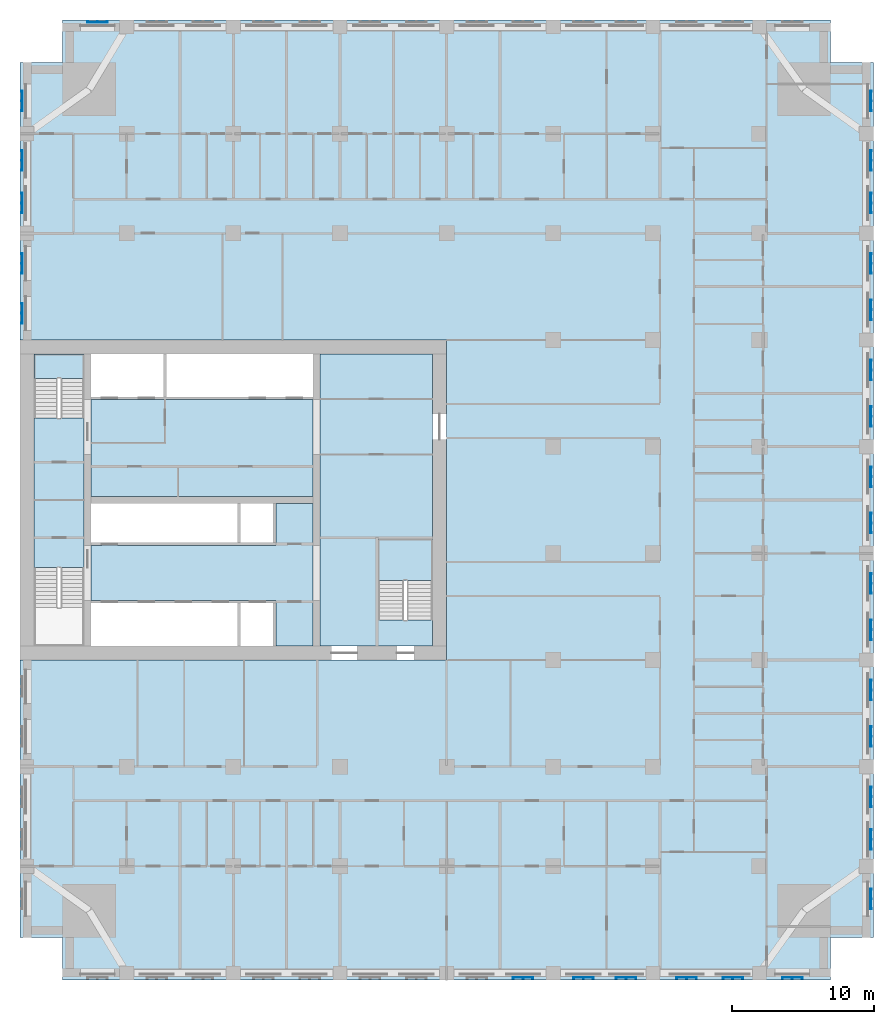
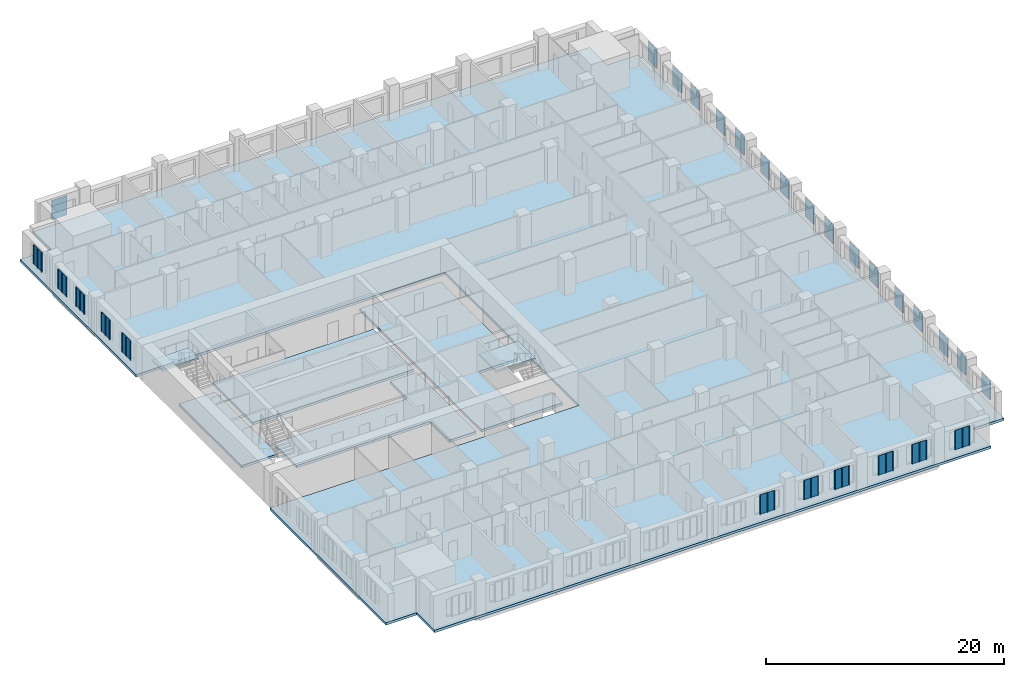
# One storey, part 2 of 15: 28 plates, 7 slabs, 2 elements without a shape of their own.
"""IFC4 building model written with IfcOpenShell, lengths in metres."""

import ifcopenshell
import ifcopenshell.guid

model = None  # the IFC model being written
_history = None  # IfcOwnerHistory: only IFC2X3 demands one
_inside = {}  # id of a spatial element -> (the spatial element, [elements in it])
_under = {}  # id of a project, library or spatial element -> (it, [spatial elements below it])
_declared = {}  # id of a project -> (the project, [libraries it declares])
_typed = {}  # id of a type object -> (the type object, [elements of that type])
_made_of = {}  # id of a material, layer set ... -> (it, [elements and type objects made of it])


def new_model(schema):
    """Start an empty IFC model of exactly this schema.

    Asked for "IFC4X3", IfcOpenShell would pick the latest addendum, in which some entities
    have other attributes; the version numbers below select the first issue.
    IFC2X3 requires an IfcOwnerHistory on every rooted entity: one is made here for all.
    """
    global model, _history
    if schema == "IFC4X3":
        model = ifcopenshell.file(schema_version=(4, 3, 0, 0))
    else:
        model = ifcopenshell.file(schema=schema)
    _inside.clear()
    _under.clear()
    _declared.clear()
    _typed.clear()
    _made_of.clear()
    _history = None
    if model.schema == "IFC2X3":
        org = make("IfcOrganization", Name="unknown")
        user = make(
            "IfcPersonAndOrganization",
            ThePerson=make("IfcPerson", FamilyName="unknown"),
            TheOrganization=org,
        )
        app = make(
            "IfcApplication",
            ApplicationDeveloper=org,
            Version="unknown",
            ApplicationFullName="unknown",
            ApplicationIdentifier="unknown",
        )
        _history = make(
            "IfcOwnerHistory",
            OwningUser=user,
            OwningApplication=app,
            ChangeAction="ADDED",
            CreationDate=0,
        )
    return model


def make(cls, **values):
    """One entity of the class cls with the attributes given. An attribute that is None is left unset."""
    return model.create_entity(
        cls, **{name: value for name, value in values.items() if value is not None}
    )


def rooted(cls, **values):
    """An entity with a GlobalId (a new one), such as an element, a storey or a relation."""
    return make(cls, GlobalId=ifcopenshell.guid.new(), OwnerHistory=_history, **values)


def si_unit(unit_type, name, prefix=None):
    """IfcSIUnit, for example si_unit("LENGTHUNIT", "METRE", prefix="MILLI")."""
    return make("IfcSIUnit", UnitType=unit_type, Prefix=prefix, Name=name)


def assignment(units):
    """IfcUnitAssignment: the units of a project."""
    return None if units is None else make("IfcUnitAssignment", Units=units)


def point(xyz):
    """IfcCartesianPoint."""
    return None if xyz is None else make("IfcCartesianPoint", Coordinates=xyz)


def direction(xyz):
    """IfcDirection."""
    return None if xyz is None else make("IfcDirection", DirectionRatios=xyz)


def frame(location, z_axis=None, x_axis=None):
    """IfcAxis2Placement3D, a coordinate frame: its origin and axes. An axis left out is left unset."""
    return make(
        "IfcAxis2Placement3D",
        Location=point(location),
        Axis=direction(z_axis),
        RefDirection=direction(x_axis),
    )


def origin():
    """The frame at (0, 0, 0) with its axes left unset."""
    return frame((0.0, 0.0, 0.0))


def place(relative_to, where):
    """IfcLocalPlacement: puts the frame where relative to a parent placement (None: the world)."""
    return make(
        "IfcLocalPlacement", PlacementRelTo=relative_to, RelativePlacement=where
    )


def context(
    kind, dimensions, precision=None, world=None, true_north=None, identifier=None
):
    """IfcGeometricRepresentationContext, for example the 3D "Model" context."""
    return make(
        "IfcGeometricRepresentationContext",
        ContextIdentifier=identifier,
        ContextType=kind,
        CoordinateSpaceDimension=dimensions,
        Precision=precision,
        WorldCoordinateSystem=world,
        TrueNorth=true_north,
    )


def subcontext(parent, identifier, kind, view, scale=None):
    """IfcGeometricRepresentationSubContext, for example "Body" below "Model"."""
    return make(
        "IfcGeometricRepresentationSubContext",
        ContextIdentifier=identifier,
        ContextType=kind,
        ParentContext=parent,
        TargetScale=scale,
        TargetView=view,
    )


def project(units=None, contexts=None):
    """IfcProject with its units and contexts."""
    return rooted(
        "IfcProject",
        Name="project",
        RepresentationContexts=contexts,
        UnitsInContext=assignment(units),
    )


def spatial(cls, under=None, at=None, **own):
    """A site, building, storey or space (cls), placed at a placement, below another one or the project."""
    s = rooted(cls, ObjectPlacement=at, **own)
    if under is not None:
        _under.setdefault(under.id(), (under, []))[1].append(s)
    return s


def polyline(points):
    """IfcPolyline through the points."""
    return make("IfcPolyline", Points=[point(p) for p in points])


def outline(outer, holes=None, kind="AREA"):
    """IfcArbitraryClosedProfileDef: a profile drawn as a closed curve; with holes, ...WithVoids."""
    if holes is None:
        return make("IfcArbitraryClosedProfileDef", ProfileType=kind, OuterCurve=outer)
    return make(
        "IfcArbitraryProfileDefWithVoids",
        ProfileType=kind,
        OuterCurve=outer,
        InnerCurves=holes,
    )


def extrude(swept, where, along, depth):
    """IfcExtrudedAreaSolid: the profile swept, set in the frame where, extruded along a direction by depth."""
    return make(
        "IfcExtrudedAreaSolid",
        SweptArea=swept,
        Position=where,
        ExtrudedDirection=direction(along),
        Depth=depth,
    )


def shape(context_of_items, identifier, shape_type, items):
    """IfcShapeRepresentation: the items that make up one representation, for example the "Body"."""
    return make(
        "IfcShapeRepresentation",
        ContextOfItems=context_of_items,
        RepresentationIdentifier=identifier,
        RepresentationType=shape_type,
        Items=items,
    )


def material(Name=None, Category=None):
    """IfcMaterial."""
    return make("IfcMaterial", Name=Name, Category=Category)


def layer(
    of_material, thickness, ventilated=None, Name=None, Category=None, Priority=None
):
    """IfcMaterialLayer: one layer of a wall or slab, of a material (None: an air gap)."""
    return make(
        "IfcMaterialLayer",
        Material=of_material,
        LayerThickness=thickness,
        IsVentilated=ventilated,
        Name=Name,
        Category=Category,
        Priority=Priority,
    )


def layer_set(layers, Name=None):
    """IfcMaterialLayerSet."""
    return make("IfcMaterialLayerSet", MaterialLayers=layers, LayerSetName=Name)


def made_of(thing, what):
    """Note that an element or type object is made of a material, layer set ...; save() writes the relation."""
    if what is not None:
        _made_of.setdefault(what.id(), (what, []))[1].append(thing)
    return thing


def type_object(cls, material=None, **own):
    """A type object (cls), such as IfcWallType, which elements share."""
    return made_of(rooted(cls, **own), material)


def element(
    cls,
    number,
    at=None,
    inside=None,
    cuts=None,
    type_object=None,
    material=None,
    context=None,
    identifier="Body",
    shape_type=None,
    held_by="IfcProductDefinitionShape",
    body=None,
    shapes=None,
    **own,
):
    """One element of the class cls, such as IfcWall. Its Tag is "e" and its number.

    at: its placement. inside: the storey or other place that contains it. cuts: it is an
    opening in that element (IfcRelVoidsElement). A single representation is given by context,
    identifier, shape_type and body (its items); several are given by shapes. held_by: the class
    of the entity that holds the representations. save() writes the other relations.
    """
    e = rooted(cls, Tag="e%d" % number, ObjectPlacement=at, **own)
    if body is not None:
        shapes = [shape(context, identifier, shape_type, body)]
    if shapes is not None:
        e.Representation = make(held_by, Representations=shapes)
    if inside is not None:
        _inside.setdefault(inside.id(), (inside, []))[1].append(e)
    if cuts is not None:
        rooted(
            "IfcRelVoidsElement", RelatingBuildingElement=cuts, RelatedOpeningElement=e
        )
    if type_object is not None:
        _typed.setdefault(type_object.id(), (type_object, []))[1].append(e)
    return made_of(e, material)


def aggregate(whole, parts):
    """IfcRelAggregates: a whole, such as a stair, and the parts it consists of."""
    return rooted("IfcRelAggregates", RelatingObject=whole, RelatedObjects=parts)


def save(model, path):
    """Write the relations noted so far, then the file.

    IfcRelAggregates (storeys below a building ...), IfcRelContainedInSpatialStructure (elements
    in a storey), IfcRelDefinesByType, IfcRelAssociatesMaterial and IfcRelDeclares: one each for
    every whole, place, type object, material and project.
    """
    for whole, parts in _under.values():
        aggregate(whole, parts)
    for where, things in _inside.values():
        rooted(
            "IfcRelContainedInSpatialStructure",
            RelatedElements=things,
            RelatingStructure=where,
        )
    for kind, things in _typed.values():
        rooted("IfcRelDefinesByType", RelatedObjects=things, RelatingType=kind)
    for what, things in _made_of.values():
        rooted("IfcRelAssociatesMaterial", RelatedObjects=things, RelatingMaterial=what)
    for by, libraries in _declared.values():
        rooted("IfcRelDeclares", RelatingContext=by, RelatedDefinitions=libraries)
    model.write(path)


model = new_model("IFC4")

# Units and contexts
model_context = context("Model", 3, precision=1e-05, world=origin(), true_north=direction((0.0, 1.0)))
body_context = subcontext(model_context, "Body", "Model", "MODEL_VIEW")
ifc_project = project(units=[si_unit("LENGTHUNIT", "METRE"), si_unit("AREAUNIT", "SQUARE_METRE"), si_unit("VOLUMEUNIT", "CUBIC_METRE"), si_unit("PLANEANGLEUNIT", "RADIAN"), si_unit("MASSUNIT", "GRAM", prefix="KILO")], contexts=[model_context])

# Site, building, storey
site_placement = place(None, origin())
site = spatial("IfcSite", under=ifc_project, at=site_placement, CompositionType="ELEMENT")
building_placement = place(site_placement, origin())
building = spatial("IfcBuilding", under=site, at=building_placement, Name="Tamorin Gate", CompositionType="ELEMENT")
storey_placement = place(building_placement, frame((0.0, 0.0, 97.10009765625)))
storey = spatial("IfcBuildingStorey", under=building, at=storey_placement, Name="L23", CompositionType="ELEMENT", Elevation=97.10009765625)

# Slabs
ifc_material_1 = material(Name="Concrete C40/50", Category="concrete")
ifc_layer_1 = layer(ifc_material_1, 0.25)
ifc_layer_set_1 = layer_set([ifc_layer_1], Name="Core floor slab 250 C40/50")
slab_type_1 = type_object("IfcSlabType", Name="Core floor slab 250 C40/50", PredefinedType="FLOOR", material=ifc_layer_set_1)
slab_1_placement = place(storey_placement, frame((0.0, 0.0, -0.25)))
element("IfcSlab", 1, at=slab_1_placement, inside=storey, type_object=slab_type_1, Name="Core floor L23", PredefinedType="FLOOR", context=body_context, shape_type="SweptSolid", body=[
    extrude(outline(polyline([(59.0, 62.800048828125), (59.0, 61.0), (51.10009765625, 61.0), (51.10009765625, 81.5), (59.0, 81.5), (59.0, 68.5), (55.199951171875, 68.5), (55.199951171875, 62.800048828125), (59.0, 62.800048828125)])), origin(), (0.0, 0.0, 1.0), 0.25),
])
slab_2_placement = place(storey_placement, frame((0.0, 0.0, -0.25)))
element("IfcSlab", 2, at=slab_2_placement, inside=storey, type_object=slab_type_1, Name="Core floor L23", PredefinedType="FLOOR", context=body_context, shape_type="SweptSolid", body=[
    extrude(outline(polyline([(50.60009765625, 61.0), (48.0, 61.0), (48.0, 64.199951171875), (35.0, 64.199951171875), (35.0, 68.050048828125), (48.0, 68.050048828125), (48.0, 71.0), (50.60009765625, 71.0), (50.60009765625, 61.0)])), origin(), (0.0, 0.0, 1.0), 0.25),
])
slab_3_placement = place(storey_placement, frame((0.0, 0.0, -0.25)))
element("IfcSlab", 3, at=slab_3_placement, inside=storey, type_object=slab_type_1, Name="Core floor L23", PredefinedType="FLOOR", context=body_context, shape_type="SweptSolid", body=[
    extrude(outline(polyline([(50.60009765625, 71.5), (35.0, 71.5), (35.0, 78.300048828125), (50.60009765625, 78.300048828125), (50.60009765625, 71.5)])), origin(), (0.0, 0.0, 1.0), 0.25),
])
slab_4_placement = place(storey_placement, frame((0.0, 0.0, -0.25)))
element("IfcSlab", 4, at=slab_4_placement, inside=storey, type_object=slab_type_1, Name="Core floor L23", PredefinedType="FLOOR", context=body_context, shape_type="SweptSolid", body=[
    extrude(outline(polyline([(31.0, 66.5), (31.0, 77.0), (34.5, 77.0), (34.5, 66.5), (31.0, 66.5)])), origin(), (0.0, 0.0, 1.0), 0.25),
])

# Stair, slab
stair_type = type_object("IfcStairType", Name="Exit stair", PredefinedType="HALF_TURN_STAIR", material=ifc_material_1)
stair_1_placement = place(storey_placement, origin())
stair_1 = element("IfcStair", 5, at=stair_1_placement, inside=storey, type_object=stair_type, Name="L23 stair ST2", PredefinedType="HALF_TURN_STAIR")
ifc_layer_2 = layer(ifc_material_1, 0.199951171875)
ifc_layer_set_2 = layer_set([ifc_layer_2], Name="Exit stair landing 200")
slab_type_2 = type_object("IfcSlabType", Name="Exit stair landing 200", PredefinedType="LANDING", material=ifc_layer_set_2)
slab_5_placement = place(storey_placement, frame((0.0, 0.0, 1.599853515625)))
slab_5 = element("IfcSlab", 6, at=slab_5_placement, type_object=slab_type_2, Name="ST2 landing 1", PredefinedType="LANDING", context=body_context, shape_type="SweptSolid", body=[
    extrude(outline(polyline([(34.5, 79.800048828125), (34.5, 81.5), (31.0, 81.5), (31.0, 79.800048828125), (34.5, 79.800048828125)])), origin(), (0.0, 0.0, 1.0), 0.199951171875),
])
aggregate(stair_1, [slab_5])

stair_2_placement = place(storey_placement, origin())
stair_2 = element("IfcStair", 7, at=stair_2_placement, inside=storey, type_object=stair_type, Name="L23 stair ST3", PredefinedType="HALF_TURN_STAIR")
slab_6_placement = place(storey_placement, frame((0.0, 0.0, 1.599853515625)))
slab_6 = element("IfcSlab", 8, at=slab_6_placement, type_object=slab_type_2, Name="ST3 landing 1", PredefinedType="LANDING", context=body_context, shape_type="SweptSolid", body=[
    extrude(outline(polyline([(59.0, 65.60009765625), (59.0, 68.5), (55.199951171875, 68.5), (55.199951171875, 65.60009765625), (59.0, 65.60009765625)])), origin(), (0.0, 0.0, 1.0), 0.199951171875),
])
aggregate(stair_2, [slab_6])

# Slab
ifc_layer_3 = layer(ifc_material_1, 0.25)
ifc_layer_set_3 = layer_set([ifc_layer_3], Name="Floor slab 250 C40/50")
slab_type_3 = type_object("IfcSlabType", Name="Floor slab 250 C40/50", PredefinedType="FLOOR", material=ifc_layer_set_3)
slab_7_placement = place(storey_placement, frame((0.0, 0.0, -0.25)))
element("IfcSlab", 9, at=slab_7_placement, inside=storey, type_object=slab_type_3, Name="Floor L23", PredefinedType="FLOOR", context=body_context, shape_type="SweptSolid", body=[
    extrude(outline(polyline([(30.0, 102.0), (33.0, 102.0), (33.0, 105.0), (87.0, 105.0), (87.0, 102.0), (90.0, 102.0), (90.0, 40.5), (87.0, 40.5), (87.0, 37.5), (33.0, 37.5), (33.0, 40.5), (30.0, 40.5), (30.0, 60.0), (60.0, 60.0), (60.0, 82.5), (30.0, 82.5), (30.0, 102.0)])), origin(), (0.0, 0.0, 1.0), 0.25),
])

# Plates
ifc_material_2 = material(Name="Perforated pale aluminium sheet", Category="aluminium")
ifc_layer_4 = layer(ifc_material_2, 0.0400390625)
ifc_layer_set_4 = layer_set([ifc_layer_4], Name="Pale metal solar screen 1440")
plate_type = type_object("IfcPlateType", Name="Pale metal solar screen 1440", PredefinedType="SHEET", material=ifc_layer_set_4)
plate_1_placement = place(storey_placement, frame((0.0, 0.0, 0.7099609375)))
element("IfcPlate", 10, at=plate_1_placement, inside=storey, type_object=plate_type, Name="Perforated solar screen", PredefinedType="SHEET", context=body_context, shape_type="SweptSolid", body=[
    extrude(outline(polyline([(64.655029296875, 37.659912109375), (64.655029296875, 37.699951171875), (64.715087890625, 37.699951171875), (65.344970703125, 37.699951171875), (65.405029296875, 37.699951171875), (66.034912109375, 37.699951171875), (66.094970703125, 37.699951171875), (66.094970703125, 37.659912109375), (66.094970703125, 37.60009765625), (66.034912109375, 37.60009765625), (66.034912109375, 37.659912109375), (65.405029296875, 37.659912109375), (65.405029296875, 37.60009765625), (65.344970703125, 37.60009765625), (65.344970703125, 37.659912109375), (64.715087890625, 37.659912109375), (64.715087890625, 37.60009765625), (64.655029296875, 37.60009765625), (64.655029296875, 37.659912109375)])), origin(), (0.0, 0.0, 1.0), 1.97998046875),
])
plate_2_placement = place(storey_placement, frame((0.0, 0.0, 0.7099609375)))
element("IfcPlate", 11, at=plate_2_placement, inside=storey, type_object=plate_type, Name="Perforated solar screen", PredefinedType="SHEET", context=body_context, shape_type="SweptSolid", body=[
    extrude(outline(polyline([(68.905029296875, 37.659912109375), (68.905029296875, 37.699951171875), (68.965087890625, 37.699951171875), (69.594970703125, 37.699951171875), (69.655029296875, 37.699951171875), (70.284912109375, 37.699951171875), (70.344970703125, 37.699951171875), (70.344970703125, 37.659912109375), (70.344970703125, 37.60009765625), (70.284912109375, 37.60009765625), (70.284912109375, 37.659912109375), (69.655029296875, 37.659912109375), (69.655029296875, 37.60009765625), (69.594970703125, 37.60009765625), (69.594970703125, 37.659912109375), (68.965087890625, 37.659912109375), (68.965087890625, 37.60009765625), (68.905029296875, 37.60009765625), (68.905029296875, 37.659912109375)])), origin(), (0.0, 0.0, 1.0), 1.97998046875),
])
plate_3_placement = place(storey_placement, frame((0.0, 0.0, 0.7099609375)))
element("IfcPlate", 12, at=plate_3_placement, inside=storey, type_object=plate_type, Name="Perforated solar screen", PredefinedType="SHEET", context=body_context, shape_type="SweptSolid", body=[
    extrude(outline(polyline([(71.905029296875, 37.659912109375), (71.905029296875, 37.699951171875), (71.965087890625, 37.699951171875), (72.594970703125, 37.699951171875), (72.655029296875, 37.699951171875), (73.284912109375, 37.699951171875), (73.344970703125, 37.699951171875), (73.344970703125, 37.659912109375), (73.344970703125, 37.60009765625), (73.284912109375, 37.60009765625), (73.284912109375, 37.659912109375), (72.655029296875, 37.659912109375), (72.655029296875, 37.60009765625), (72.594970703125, 37.60009765625), (72.594970703125, 37.659912109375), (71.965087890625, 37.659912109375), (71.965087890625, 37.60009765625), (71.905029296875, 37.60009765625), (71.905029296875, 37.659912109375)])), origin(), (0.0, 0.0, 1.0), 1.97998046875),
])
plate_4_placement = place(storey_placement, frame((0.0, 0.0, 0.7099609375)))
element("IfcPlate", 13, at=plate_4_placement, inside=storey, type_object=plate_type, Name="Perforated solar screen", PredefinedType="SHEET", context=body_context, shape_type="SweptSolid", body=[
    extrude(outline(polyline([(76.155029296875, 37.659912109375), (76.155029296875, 37.699951171875), (76.215087890625, 37.699951171875), (76.844970703125, 37.699951171875), (76.905029296875, 37.699951171875), (77.534912109375, 37.699951171875), (77.594970703125, 37.699951171875), (77.594970703125, 37.659912109375), (77.594970703125, 37.60009765625), (77.534912109375, 37.60009765625), (77.534912109375, 37.659912109375), (76.905029296875, 37.659912109375), (76.905029296875, 37.60009765625), (76.844970703125, 37.60009765625), (76.844970703125, 37.659912109375), (76.215087890625, 37.659912109375), (76.215087890625, 37.60009765625), (76.155029296875, 37.60009765625), (76.155029296875, 37.659912109375)])), origin(), (0.0, 0.0, 1.0), 1.97998046875),
])
plate_5_placement = place(storey_placement, frame((0.0, 0.0, 0.7099609375)))
element("IfcPlate", 14, at=plate_5_placement, inside=storey, type_object=plate_type, Name="Perforated solar screen", PredefinedType="SHEET", context=body_context, shape_type="SweptSolid", body=[
    extrude(outline(polyline([(79.405029296875, 37.659912109375), (79.405029296875, 37.699951171875), (79.465087890625, 37.699951171875), (80.094970703125, 37.699951171875), (80.155029296875, 37.699951171875), (80.784912109375, 37.699951171875), (80.844970703125, 37.699951171875), (80.844970703125, 37.659912109375), (80.844970703125, 37.60009765625), (80.784912109375, 37.60009765625), (80.784912109375, 37.659912109375), (80.155029296875, 37.659912109375), (80.155029296875, 37.60009765625), (80.094970703125, 37.60009765625), (80.094970703125, 37.659912109375), (79.465087890625, 37.659912109375), (79.465087890625, 37.60009765625), (79.405029296875, 37.60009765625), (79.405029296875, 37.659912109375)])), origin(), (0.0, 0.0, 1.0), 1.97998046875),
])
plate_6_placement = place(storey_placement, frame((0.0, 0.0, 0.7099609375)))
element("IfcPlate", 15, at=plate_6_placement, inside=storey, type_object=plate_type, Name="Perforated solar screen", PredefinedType="SHEET", context=body_context, shape_type="SweptSolid", body=[
    extrude(outline(polyline([(83.580078125, 37.659912109375), (83.580078125, 37.699951171875), (83.639892578125, 37.699951171875), (84.27001953125, 37.699951171875), (84.330078125, 37.699951171875), (84.9599609375, 37.699951171875), (85.02001953125, 37.699951171875), (85.02001953125, 37.659912109375), (85.02001953125, 37.60009765625), (84.9599609375, 37.60009765625), (84.9599609375, 37.659912109375), (84.330078125, 37.659912109375), (84.330078125, 37.60009765625), (84.27001953125, 37.60009765625), (84.27001953125, 37.659912109375), (83.639892578125, 37.659912109375), (83.639892578125, 37.60009765625), (83.580078125, 37.60009765625), (83.580078125, 37.659912109375)])), origin(), (0.0, 0.0, 1.0), 1.97998046875),
])
plate_7_placement = place(storey_placement, frame((0.0, 0.0, 0.7099609375)))
element("IfcPlate", 16, at=plate_7_placement, inside=storey, type_object=plate_type, Name="Perforated solar screen", PredefinedType="SHEET", context=body_context, shape_type="SweptSolid", body=[
    extrude(outline(polyline([(89.840087890625, 42.47998046875), (89.800048828125, 42.47998046875), (89.800048828125, 42.5400390625), (89.800048828125, 43.169921875), (89.800048828125, 43.22998046875), (89.800048828125, 43.860107421875), (89.800048828125, 43.919921875), (89.840087890625, 43.919921875), (89.89990234375, 43.919921875), (89.89990234375, 43.860107421875), (89.840087890625, 43.860107421875), (89.840087890625, 43.22998046875), (89.89990234375, 43.22998046875), (89.89990234375, 43.169921875), (89.840087890625, 43.169921875), (89.840087890625, 42.5400390625), (89.89990234375, 42.5400390625), (89.89990234375, 42.47998046875), (89.840087890625, 42.47998046875)])), origin(), (0.0, 0.0, 1.0), 1.97998046875),
])
plate_8_placement = place(storey_placement, frame((0.0, 0.0, 0.7099609375)))
element("IfcPlate", 17, at=plate_8_placement, inside=storey, type_object=plate_type, Name="Perforated solar screen", PredefinedType="SHEET", context=body_context, shape_type="SweptSolid", body=[
    extrude(outline(polyline([(89.840087890625, 46.655029296875), (89.800048828125, 46.655029296875), (89.800048828125, 46.715087890625), (89.800048828125, 47.344970703125), (89.800048828125, 47.405029296875), (89.800048828125, 48.034912109375), (89.800048828125, 48.094970703125), (89.800048828125, 48.094970703125), (89.840087890625, 48.094970703125), (89.840087890625, 48.094970703125), (89.89990234375, 48.094970703125), (89.89990234375, 48.034912109375), (89.840087890625, 48.034912109375), (89.840087890625, 47.405029296875), (89.89990234375, 47.405029296875), (89.89990234375, 47.344970703125), (89.840087890625, 47.344970703125), (89.840087890625, 46.715087890625), (89.89990234375, 46.715087890625), (89.89990234375, 46.655029296875), (89.840087890625, 46.655029296875)])), origin(), (0.0, 0.0, 1.0), 1.97998046875),
])
plate_9_placement = place(storey_placement, frame((0.0, 0.0, 0.7099609375)))
element("IfcPlate", 18, at=plate_9_placement, inside=storey, type_object=plate_type, Name="Perforated solar screen", PredefinedType="SHEET", context=body_context, shape_type="SweptSolid", body=[
    extrude(outline(polyline([(89.840087890625, 49.655029296875), (89.800048828125, 49.655029296875), (89.800048828125, 49.715087890625), (89.800048828125, 50.344970703125), (89.800048828125, 50.405029296875), (89.800048828125, 51.034912109375), (89.800048828125, 51.094970703125), (89.840087890625, 51.094970703125), (89.89990234375, 51.094970703125), (89.89990234375, 51.034912109375), (89.840087890625, 51.034912109375), (89.840087890625, 50.405029296875), (89.89990234375, 50.405029296875), (89.89990234375, 50.344970703125), (89.840087890625, 50.344970703125), (89.840087890625, 49.715087890625), (89.89990234375, 49.715087890625), (89.89990234375, 49.655029296875), (89.840087890625, 49.655029296875)])), origin(), (0.0, 0.0, 1.0), 1.97998046875),
])
plate_10_placement = place(storey_placement, frame((0.0, 0.0, 0.7099609375)))
element("IfcPlate", 19, at=plate_10_placement, inside=storey, type_object=plate_type, Name="Perforated solar screen", PredefinedType="SHEET", context=body_context, shape_type="SweptSolid", body=[
    extrude(outline(polyline([(89.840087890625, 53.905029296875), (89.800048828125, 53.905029296875), (89.800048828125, 53.965087890625), (89.800048828125, 54.594970703125), (89.800048828125, 54.655029296875), (89.800048828125, 55.284912109375), (89.800048828125, 55.344970703125), (89.840087890625, 55.344970703125), (89.89990234375, 55.344970703125), (89.89990234375, 55.284912109375), (89.840087890625, 55.284912109375), (89.840087890625, 54.655029296875), (89.89990234375, 54.655029296875), (89.89990234375, 54.594970703125), (89.840087890625, 54.594970703125), (89.840087890625, 53.965087890625), (89.89990234375, 53.965087890625), (89.89990234375, 53.905029296875), (89.840087890625, 53.905029296875)])), origin(), (0.0, 0.0, 1.0), 1.97998046875),
])
plate_11_placement = place(storey_placement, frame((0.0, 0.0, 0.7099609375)))
element("IfcPlate", 20, at=plate_11_placement, inside=storey, type_object=plate_type, Name="Perforated solar screen", PredefinedType="SHEET", context=body_context, shape_type="SweptSolid", body=[
    extrude(outline(polyline([(89.840087890625, 57.155029296875), (89.800048828125, 57.155029296875), (89.800048828125, 57.215087890625), (89.800048828125, 57.844970703125), (89.800048828125, 57.905029296875), (89.800048828125, 58.534912109375), (89.800048828125, 58.594970703125), (89.840087890625, 58.594970703125), (89.89990234375, 58.594970703125), (89.89990234375, 58.534912109375), (89.840087890625, 58.534912109375), (89.840087890625, 57.905029296875), (89.89990234375, 57.905029296875), (89.89990234375, 57.844970703125), (89.840087890625, 57.844970703125), (89.840087890625, 57.215087890625), (89.89990234375, 57.215087890625), (89.89990234375, 57.155029296875), (89.840087890625, 57.155029296875)])), origin(), (0.0, 0.0, 1.0), 1.97998046875),
])
plate_12_placement = place(storey_placement, frame((0.0, 0.0, 0.7099609375)))
element("IfcPlate", 21, at=plate_12_placement, inside=storey, type_object=plate_type, Name="Perforated solar screen", PredefinedType="SHEET", context=body_context, shape_type="SweptSolid", body=[
    extrude(outline(polyline([(89.840087890625, 61.405029296875), (89.800048828125, 61.405029296875), (89.800048828125, 61.465087890625), (89.800048828125, 62.094970703125), (89.800048828125, 62.155029296875), (89.800048828125, 62.784912109375), (89.800048828125, 62.844970703125), (89.840087890625, 62.844970703125), (89.89990234375, 62.844970703125), (89.89990234375, 62.784912109375), (89.840087890625, 62.784912109375), (89.840087890625, 62.155029296875), (89.89990234375, 62.155029296875), (89.89990234375, 62.094970703125), (89.840087890625, 62.094970703125), (89.840087890625, 61.465087890625), (89.89990234375, 61.465087890625), (89.89990234375, 61.405029296875), (89.840087890625, 61.405029296875)])), origin(), (0.0, 0.0, 1.0), 1.97998046875),
])
plate_13_placement = place(storey_placement, frame((0.0, 0.0, 0.7099609375)))
element("IfcPlate", 22, at=plate_13_placement, inside=storey, type_object=plate_type, Name="Perforated solar screen", PredefinedType="SHEET", context=body_context, shape_type="SweptSolid", body=[
    extrude(outline(polyline([(89.840087890625, 64.655029296875), (89.800048828125, 64.655029296875), (89.800048828125, 64.715087890625), (89.800048828125, 65.344970703125), (89.800048828125, 65.405029296875), (89.800048828125, 66.034912109375), (89.800048828125, 66.094970703125), (89.840087890625, 66.094970703125), (89.89990234375, 66.094970703125), (89.89990234375, 66.034912109375), (89.840087890625, 66.034912109375), (89.840087890625, 65.405029296875), (89.89990234375, 65.405029296875), (89.89990234375, 65.344970703125), (89.840087890625, 65.344970703125), (89.840087890625, 64.715087890625), (89.89990234375, 64.715087890625), (89.89990234375, 64.655029296875), (89.840087890625, 64.655029296875)])), origin(), (0.0, 0.0, 1.0), 1.97998046875),
])
plate_14_placement = place(storey_placement, frame((0.0, 0.0, 0.7099609375)))
element("IfcPlate", 23, at=plate_14_placement, inside=storey, type_object=plate_type, Name="Perforated solar screen", PredefinedType="SHEET", context=body_context, shape_type="SweptSolid", body=[
    extrude(outline(polyline([(89.840087890625, 68.905029296875), (89.800048828125, 68.905029296875), (89.800048828125, 68.965087890625), (89.800048828125, 69.594970703125), (89.800048828125, 69.655029296875), (89.800048828125, 70.284912109375), (89.800048828125, 70.344970703125), (89.840087890625, 70.344970703125), (89.89990234375, 70.344970703125), (89.89990234375, 70.284912109375), (89.840087890625, 70.284912109375), (89.840087890625, 69.655029296875), (89.89990234375, 69.655029296875), (89.89990234375, 69.594970703125), (89.840087890625, 69.594970703125), (89.840087890625, 68.965087890625), (89.89990234375, 68.965087890625), (89.89990234375, 68.905029296875), (89.840087890625, 68.905029296875)])), origin(), (0.0, 0.0, 1.0), 1.97998046875),
])
plate_15_placement = place(storey_placement, frame((0.0, 0.0, 0.7099609375)))
element("IfcPlate", 24, at=plate_15_placement, inside=storey, type_object=plate_type, Name="Perforated solar screen", PredefinedType="SHEET", context=body_context, shape_type="SweptSolid", body=[
    extrude(outline(polyline([(89.840087890625, 72.155029296875), (89.800048828125, 72.155029296875), (89.800048828125, 72.215087890625), (89.800048828125, 72.844970703125), (89.800048828125, 72.905029296875), (89.800048828125, 73.534912109375), (89.800048828125, 73.594970703125), (89.840087890625, 73.594970703125), (89.89990234375, 73.594970703125), (89.89990234375, 73.534912109375), (89.840087890625, 73.534912109375), (89.840087890625, 72.905029296875), (89.89990234375, 72.905029296875), (89.89990234375, 72.844970703125), (89.840087890625, 72.844970703125), (89.840087890625, 72.215087890625), (89.89990234375, 72.215087890625), (89.89990234375, 72.155029296875), (89.840087890625, 72.155029296875)])), origin(), (0.0, 0.0, 1.0), 1.97998046875),
])
plate_16_placement = place(storey_placement, frame((0.0, 0.0, 0.7099609375)))
element("IfcPlate", 25, at=plate_16_placement, inside=storey, type_object=plate_type, Name="Perforated solar screen", PredefinedType="SHEET", context=body_context, shape_type="SweptSolid", body=[
    extrude(outline(polyline([(89.840087890625, 76.405029296875), (89.800048828125, 76.405029296875), (89.800048828125, 76.465087890625), (89.800048828125, 77.094970703125), (89.800048828125, 77.155029296875), (89.800048828125, 77.784912109375), (89.800048828125, 77.844970703125), (89.840087890625, 77.844970703125), (89.89990234375, 77.844970703125), (89.89990234375, 77.784912109375), (89.840087890625, 77.784912109375), (89.840087890625, 77.155029296875), (89.89990234375, 77.155029296875), (89.89990234375, 77.094970703125), (89.840087890625, 77.094970703125), (89.840087890625, 76.465087890625), (89.89990234375, 76.465087890625), (89.89990234375, 76.405029296875), (89.840087890625, 76.405029296875)])), origin(), (0.0, 0.0, 1.0), 1.97998046875),
])
plate_17_placement = place(storey_placement, frame((0.0, 0.0, 0.7099609375)))
element("IfcPlate", 26, at=plate_17_placement, inside=storey, type_object=plate_type, Name="Perforated solar screen", PredefinedType="SHEET", context=body_context, shape_type="SweptSolid", body=[
    extrude(outline(polyline([(89.840087890625, 79.655029296875), (89.800048828125, 79.655029296875), (89.800048828125, 79.715087890625), (89.800048828125, 80.344970703125), (89.800048828125, 80.405029296875), (89.800048828125, 81.034912109375), (89.800048828125, 81.094970703125), (89.840087890625, 81.094970703125), (89.89990234375, 81.094970703125), (89.89990234375, 81.034912109375), (89.840087890625, 81.034912109375), (89.840087890625, 80.405029296875), (89.89990234375, 80.405029296875), (89.89990234375, 80.344970703125), (89.840087890625, 80.344970703125), (89.840087890625, 79.715087890625), (89.89990234375, 79.715087890625), (89.89990234375, 79.655029296875), (89.840087890625, 79.655029296875)])), origin(), (0.0, 0.0, 1.0), 1.97998046875),
])
plate_18_placement = place(storey_placement, frame((0.0, 0.0, 0.7099609375)))
element("IfcPlate", 27, at=plate_18_placement, inside=storey, type_object=plate_type, Name="Perforated solar screen", PredefinedType="SHEET", context=body_context, shape_type="SweptSolid", body=[
    extrude(outline(polyline([(89.840087890625, 83.905029296875), (89.800048828125, 83.905029296875), (89.800048828125, 83.965087890625), (89.800048828125, 84.594970703125), (89.800048828125, 84.655029296875), (89.800048828125, 85.284912109375), (89.800048828125, 85.344970703125), (89.840087890625, 85.344970703125), (89.89990234375, 85.344970703125), (89.89990234375, 85.284912109375), (89.840087890625, 85.284912109375), (89.840087890625, 84.655029296875), (89.89990234375, 84.655029296875), (89.89990234375, 84.594970703125), (89.840087890625, 84.594970703125), (89.840087890625, 83.965087890625), (89.89990234375, 83.965087890625), (89.89990234375, 83.905029296875), (89.840087890625, 83.905029296875)])), origin(), (0.0, 0.0, 1.0), 1.97998046875),
])
plate_19_placement = place(storey_placement, frame((0.0, 0.0, 0.7099609375)))
element("IfcPlate", 28, at=plate_19_placement, inside=storey, type_object=plate_type, Name="Perforated solar screen", PredefinedType="SHEET", context=body_context, shape_type="SweptSolid", body=[
    extrude(outline(polyline([(89.840087890625, 87.155029296875), (89.800048828125, 87.155029296875), (89.800048828125, 87.215087890625), (89.800048828125, 87.844970703125), (89.800048828125, 87.905029296875), (89.800048828125, 88.534912109375), (89.800048828125, 88.594970703125), (89.840087890625, 88.594970703125), (89.89990234375, 88.594970703125), (89.89990234375, 88.534912109375), (89.840087890625, 88.534912109375), (89.840087890625, 87.905029296875), (89.89990234375, 87.905029296875), (89.89990234375, 87.844970703125), (89.840087890625, 87.844970703125), (89.840087890625, 87.215087890625), (89.89990234375, 87.215087890625), (89.89990234375, 87.155029296875), (89.840087890625, 87.155029296875)])), origin(), (0.0, 0.0, 1.0), 1.97998046875),
])
plate_20_placement = place(storey_placement, frame((0.0, 0.0, 0.7099609375)))
element("IfcPlate", 29, at=plate_20_placement, inside=storey, type_object=plate_type, Name="Perforated solar screen", PredefinedType="SHEET", context=body_context, shape_type="SweptSolid", body=[
    extrude(outline(polyline([(89.840087890625, 91.405029296875), (89.800048828125, 91.405029296875), (89.800048828125, 91.465087890625), (89.800048828125, 92.094970703125), (89.800048828125, 92.155029296875), (89.800048828125, 92.784912109375), (89.800048828125, 92.844970703125), (89.840087890625, 92.844970703125), (89.89990234375, 92.844970703125), (89.89990234375, 92.784912109375), (89.840087890625, 92.784912109375), (89.840087890625, 92.155029296875), (89.89990234375, 92.155029296875), (89.89990234375, 92.094970703125), (89.840087890625, 92.094970703125), (89.840087890625, 91.465087890625), (89.89990234375, 91.465087890625), (89.89990234375, 91.405029296875), (89.840087890625, 91.405029296875)])), origin(), (0.0, 0.0, 1.0), 1.97998046875),
])
plate_21_placement = place(storey_placement, frame((0.0, 0.0, 0.7099609375)))
element("IfcPlate", 30, at=plate_21_placement, inside=storey, type_object=plate_type, Name="Perforated solar screen", PredefinedType="SHEET", context=body_context, shape_type="SweptSolid", body=[
    extrude(outline(polyline([(89.840087890625, 94.405029296875), (89.800048828125, 94.405029296875), (89.800048828125, 94.465087890625), (89.800048828125, 95.094970703125), (89.800048828125, 95.155029296875), (89.800048828125, 95.784912109375), (89.800048828125, 95.844970703125), (89.840087890625, 95.844970703125), (89.89990234375, 95.844970703125), (89.89990234375, 95.784912109375), (89.840087890625, 95.784912109375), (89.840087890625, 95.155029296875), (89.89990234375, 95.155029296875), (89.89990234375, 95.094970703125), (89.840087890625, 95.094970703125), (89.840087890625, 94.465087890625), (89.89990234375, 94.465087890625), (89.89990234375, 94.405029296875), (89.840087890625, 94.405029296875)])), origin(), (0.0, 0.0, 1.0), 1.97998046875),
])
plate_22_placement = place(storey_placement, frame((0.0, 0.0, 0.7099609375)))
element("IfcPlate", 31, at=plate_22_placement, inside=storey, type_object=plate_type, Name="Perforated solar screen", PredefinedType="SHEET", context=body_context, shape_type="SweptSolid", body=[
    extrude(outline(polyline([(89.840087890625, 98.580078125), (89.800048828125, 98.580078125), (89.800048828125, 98.639892578125), (89.800048828125, 99.27001953125), (89.800048828125, 99.330078125), (89.800048828125, 99.9599609375), (89.800048828125, 100.02001953125), (89.840087890625, 100.02001953125), (89.89990234375, 100.02001953125), (89.89990234375, 99.9599609375), (89.840087890625, 99.9599609375), (89.840087890625, 99.330078125), (89.89990234375, 99.330078125), (89.89990234375, 99.27001953125), (89.840087890625, 99.27001953125), (89.840087890625, 98.639892578125), (89.89990234375, 98.639892578125), (89.89990234375, 98.580078125), (89.840087890625, 98.580078125)])), origin(), (0.0, 0.0, 1.0), 1.97998046875),
])
plate_23_placement = place(storey_placement, frame((0.0, 0.0, 0.7099609375)))
element("IfcPlate", 32, at=plate_23_placement, inside=storey, type_object=plate_type, Name="Perforated solar screen", PredefinedType="SHEET", context=body_context, shape_type="SweptSolid", body=[
    extrude(outline(polyline([(36.169921875, 104.840087890625), (36.169921875, 104.800048828125), (36.110107421875, 104.800048828125), (35.47998046875, 104.800048828125), (35.419921875, 104.800048828125), (34.7900390625, 104.800048828125), (34.72998046875, 104.800048828125), (34.72998046875, 104.840087890625), (34.72998046875, 104.89990234375), (34.7900390625, 104.89990234375), (34.7900390625, 104.840087890625), (35.419921875, 104.840087890625), (35.419921875, 104.89990234375), (35.47998046875, 104.89990234375), (35.47998046875, 104.840087890625), (36.110107421875, 104.840087890625), (36.110107421875, 104.89990234375), (36.169921875, 104.89990234375), (36.169921875, 104.840087890625)])), origin(), (0.0, 0.0, 1.0), 1.97998046875),
])
plate_24_placement = place(storey_placement, frame((0.0, 0.0, 0.7099609375)))
element("IfcPlate", 33, at=plate_24_placement, inside=storey, type_object=plate_type, Name="Perforated solar screen", PredefinedType="SHEET", context=body_context, shape_type="SweptSolid", body=[
    extrude(outline(polyline([(30.159912109375, 100.02001953125), (30.199951171875, 100.02001953125), (30.199951171875, 99.9599609375), (30.199951171875, 99.330078125), (30.199951171875, 99.27001953125), (30.199951171875, 98.639892578125), (30.199951171875, 98.580078125), (30.159912109375, 98.580078125), (30.10009765625, 98.580078125), (30.10009765625, 98.639892578125), (30.159912109375, 98.639892578125), (30.159912109375, 99.27001953125), (30.10009765625, 99.27001953125), (30.10009765625, 99.330078125), (30.159912109375, 99.330078125), (30.159912109375, 99.9599609375), (30.10009765625, 99.9599609375), (30.10009765625, 100.02001953125), (30.159912109375, 100.02001953125)])), origin(), (0.0, 0.0, 1.0), 1.97998046875),
])
plate_25_placement = place(storey_placement, frame((0.0, 0.0, 0.7099609375)))
element("IfcPlate", 34, at=plate_25_placement, inside=storey, type_object=plate_type, Name="Perforated solar screen", PredefinedType="SHEET", context=body_context, shape_type="SweptSolid", body=[
    extrude(outline(polyline([(30.159912109375, 92.844970703125), (30.199951171875, 92.844970703125), (30.199951171875, 92.784912109375), (30.199951171875, 92.155029296875), (30.199951171875, 92.094970703125), (30.199951171875, 91.465087890625), (30.199951171875, 91.405029296875), (30.159912109375, 91.405029296875), (30.10009765625, 91.405029296875), (30.10009765625, 91.465087890625), (30.159912109375, 91.465087890625), (30.159912109375, 92.094970703125), (30.10009765625, 92.094970703125), (30.10009765625, 92.155029296875), (30.159912109375, 92.155029296875), (30.159912109375, 92.784912109375), (30.10009765625, 92.784912109375), (30.10009765625, 92.844970703125), (30.159912109375, 92.844970703125)])), origin(), (0.0, 0.0, 1.0), 1.97998046875),
])
plate_26_placement = place(storey_placement, frame((0.0, 0.0, 0.7099609375)))
element("IfcPlate", 35, at=plate_26_placement, inside=storey, type_object=plate_type, Name="Perforated solar screen", PredefinedType="SHEET", context=body_context, shape_type="SweptSolid", body=[
    extrude(outline(polyline([(30.159912109375, 95.844970703125), (30.199951171875, 95.844970703125), (30.199951171875, 95.784912109375), (30.199951171875, 95.155029296875), (30.199951171875, 95.094970703125), (30.199951171875, 94.465087890625), (30.199951171875, 94.405029296875), (30.199951171875, 94.405029296875), (30.159912109375, 94.405029296875), (30.159912109375, 94.405029296875), (30.10009765625, 94.405029296875), (30.10009765625, 94.465087890625), (30.159912109375, 94.465087890625), (30.159912109375, 95.094970703125), (30.10009765625, 95.094970703125), (30.10009765625, 95.155029296875), (30.159912109375, 95.155029296875), (30.159912109375, 95.784912109375), (30.10009765625, 95.784912109375), (30.10009765625, 95.844970703125), (30.159912109375, 95.844970703125)])), origin(), (0.0, 0.0, 1.0), 1.97998046875),
])
plate_27_placement = place(storey_placement, frame((0.0, 0.0, 0.7099609375)))
element("IfcPlate", 36, at=plate_27_placement, inside=storey, type_object=plate_type, Name="Perforated solar screen", PredefinedType="SHEET", context=body_context, shape_type="SweptSolid", body=[
    extrude(outline(polyline([(30.159912109375, 85.094970703125), (30.199951171875, 85.094970703125), (30.199951171875, 85.034912109375), (30.199951171875, 84.405029296875), (30.199951171875, 84.344970703125), (30.199951171875, 83.715087890625), (30.199951171875, 83.655029296875), (30.159912109375, 83.655029296875), (30.10009765625, 83.655029296875), (30.10009765625, 83.715087890625), (30.159912109375, 83.715087890625), (30.159912109375, 84.344970703125), (30.10009765625, 84.344970703125), (30.10009765625, 84.405029296875), (30.159912109375, 84.405029296875), (30.159912109375, 85.034912109375), (30.10009765625, 85.034912109375), (30.10009765625, 85.094970703125), (30.159912109375, 85.094970703125)])), origin(), (0.0, 0.0, 1.0), 1.97998046875),
])
plate_28_placement = place(storey_placement, frame((0.0, 0.0, 0.7099609375)))
element("IfcPlate", 37, at=plate_28_placement, inside=storey, type_object=plate_type, Name="Perforated solar screen", PredefinedType="SHEET", context=body_context, shape_type="SweptSolid", body=[
    extrude(outline(polyline([(30.159912109375, 88.594970703125), (30.199951171875, 88.594970703125), (30.199951171875, 88.534912109375), (30.199951171875, 87.905029296875), (30.199951171875, 87.844970703125), (30.199951171875, 87.215087890625), (30.199951171875, 87.155029296875), (30.159912109375, 87.155029296875), (30.10009765625, 87.155029296875), (30.10009765625, 87.215087890625), (30.159912109375, 87.215087890625), (30.159912109375, 87.844970703125), (30.10009765625, 87.844970703125), (30.10009765625, 87.905029296875), (30.159912109375, 87.905029296875), (30.159912109375, 88.534912109375), (30.10009765625, 88.534912109375), (30.10009765625, 88.594970703125), (30.159912109375, 88.594970703125)])), origin(), (0.0, 0.0, 1.0), 1.97998046875),
])

save(model, "model.ifc")
